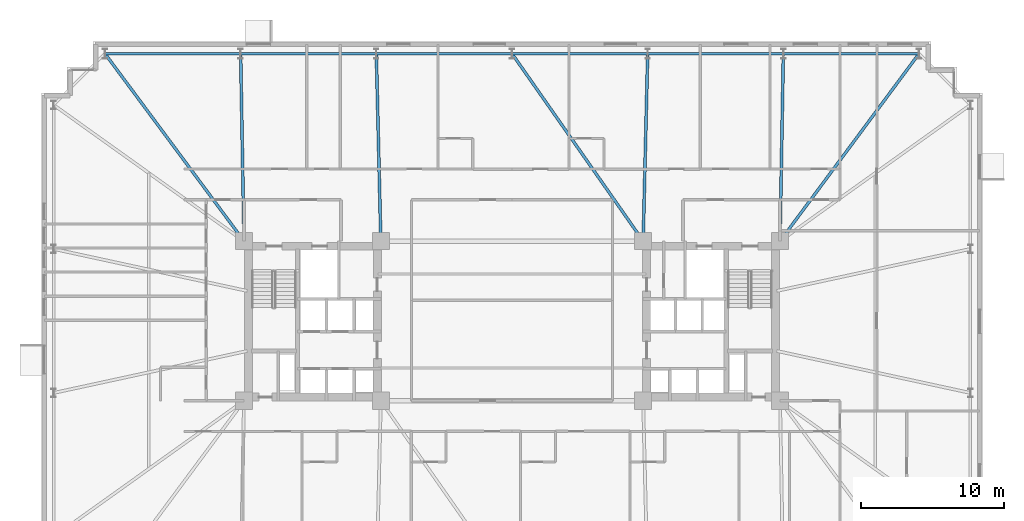
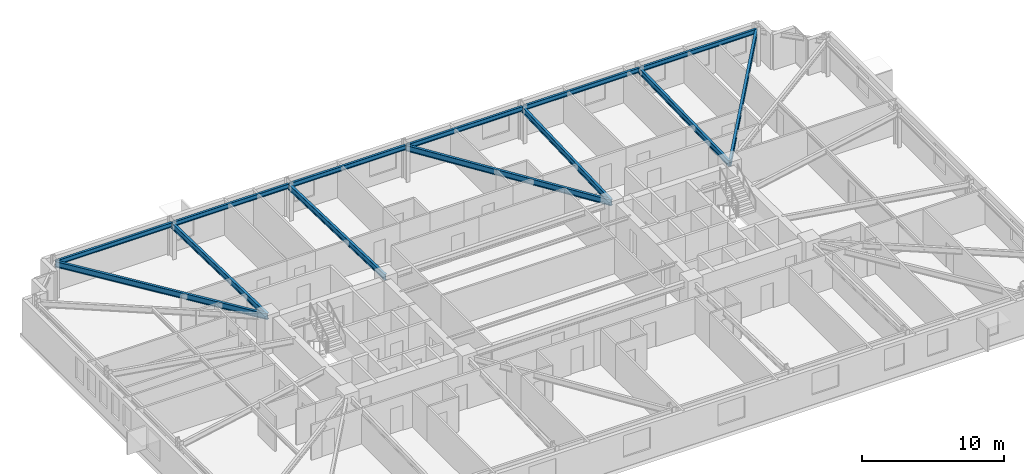
# One storey, part 9 of 21: 13 beams.
"""IFC4 building model written with IfcOpenShell, lengths in metres."""

from ifc_helpers import new_model, si_unit, direction, frame, origin, origin_2d, place, context, subcontext, project, spatial, i_section, extrude, material, material_profile, profile_set, type_object, element, save


model = new_model("IFC4")

# Units and contexts
model_context = context("Model", 3, precision=1e-05, world=origin(), true_north=direction((0.0, 1.0)))
body_context = subcontext(model_context, "Body", "Model", "MODEL_VIEW")
ifc_project = project(units=[si_unit("LENGTHUNIT", "METRE"), si_unit("AREAUNIT", "SQUARE_METRE"), si_unit("VOLUMEUNIT", "CUBIC_METRE"), si_unit("PLANEANGLEUNIT", "RADIAN"), si_unit("MASSUNIT", "GRAM", prefix="KILO")], contexts=[model_context])

# Site, building, storey
site_placement = place(None, origin())
site = spatial("IfcSite", under=ifc_project, at=site_placement, CompositionType="ELEMENT")
building_placement = place(site_placement, origin())
building = spatial("IfcBuilding", under=site, at=building_placement, Name="Qobustan Lattice House", CompositionType="ELEMENT")
storey_placement = place(building_placement, frame((0.0, 0.0, 37.050048828125)))
storey = spatial("IfcBuildingStorey", under=building, at=storey_placement, Name="L09", CompositionType="ELEMENT", Elevation=37.050048828125)

# Beams
ifc_material_1 = material(Name="Steel S355", Category="steel")
ifc_material_profile_1 = material_profile(ifc_material_1, i_section(OverallWidth=0.199951171875, OverallDepth=0.5, WebThickness=0.01025390625, FlangeThickness=0.01611328125, FilletRadius=0.02099609375, at=origin_2d()), Name="IPE500")
ifc_profile_set_1 = profile_set([ifc_material_profile_1], Name="Steel S355")
beam_type_1 = type_object("IfcBeamType", Name="BM-FLG-IPE500", PredefinedType="USERDEFINED", material=ifc_profile_set_1)
beam_1_placement = place(storey_placement, frame((-28.53515625, 18.72998046875, 2.784912109375), z_axis=(0.5955916815, -0.803287338956, 0.0), x_axis=(0.803287338956, 0.5955916815, 0.0)))
element("IfcBeam", 1, at=beam_1_placement, inside=storey, type_object=beam_type_1, Name="L09 primary floor girder RAD-N7W", ObjectType="GIRDER", PredefinedType="USERDEFINED", context=body_context, shape_type="SweptSolid", body=[
    extrude(i_section(OverallWidth=0.199951171875, OverallDepth=0.5, WebThickness=0.01025390625, FlangeThickness=0.01611328125, FilletRadius=0.02099609375, at=origin_2d()), origin(), (0.0, 0.0, 1.0), 16.3203125),
])
beam_2_placement = place(storey_placement, frame((-19.032958984375, 18.72509765625, 2.784912109375), z_axis=(0.017757831607, -0.999842317276, 0.0), x_axis=(0.999842317276, 0.017757831607, 0.0)))
element("IfcBeam", 2, at=beam_2_placement, inside=storey, type_object=beam_type_1, Name="L09 primary floor girder RAD-N6", ObjectType="GIRDER", PredefinedType="USERDEFINED", context=body_context, shape_type="SweptSolid", body=[
    extrude(i_section(OverallWidth=0.199951171875, OverallDepth=0.5, WebThickness=0.01025390625, FlangeThickness=0.01611328125, FilletRadius=0.02099609375, at=origin_2d()), origin(), (0.0, 0.0, 1.0), 13.10205078125),
])
beam_3_placement = place(storey_placement, frame((-9.51611328125, 18.72509765625, 2.784912109375), z_axis=(0.024071445657, -0.999710240772, 0.0), x_axis=(0.999710240772, 0.024071445657, 0.0)))
element("IfcBeam", 3, at=beam_3_placement, inside=storey, type_object=beam_type_1, Name="L09 primary floor girder RAD-N5", ObjectType="GIRDER", PredefinedType="USERDEFINED", context=body_context, shape_type="SweptSolid", body=[
    extrude(i_section(OverallWidth=0.199951171875, OverallDepth=0.5, WebThickness=0.01025390625, FlangeThickness=0.01611328125, FilletRadius=0.02099609375, at=origin_2d()), origin(), (0.0, 0.0, 1.0), 13.10400390625),
])
beam_4_placement = place(storey_placement, frame((0.014404296875, 18.7294921875, 2.784912109375), z_axis=(0.57325954206, -0.819373844736, 0.0), x_axis=(0.819373844736, 0.57325954206, 0.0)))
element("IfcBeam", 4, at=beam_4_placement, inside=storey, type_object=beam_type_1, Name="L09 primary floor girder RAD-N4", ObjectType="GIRDER", PredefinedType="USERDEFINED", context=body_context, shape_type="SweptSolid", body=[
    extrude(i_section(OverallWidth=0.199951171875, OverallDepth=0.5, WebThickness=0.01025390625, FlangeThickness=0.01611328125, FilletRadius=0.02099609375, at=origin_2d()), origin(), (0.0, 0.0, 1.0), 15.998779296875),
])
beam_5_placement = place(storey_placement, frame((9.51611328125, 18.72509765625, 2.784912109375), z_axis=(-0.024071445657, -0.999710240772, 0.0), x_axis=(0.999710240772, -0.024071445657, 0.0)))
element("IfcBeam", 5, at=beam_5_placement, inside=storey, type_object=beam_type_1, Name="L09 primary floor girder RAD-N3", ObjectType="GIRDER", PredefinedType="USERDEFINED", context=body_context, shape_type="SweptSolid", body=[
    extrude(i_section(OverallWidth=0.199951171875, OverallDepth=0.5, WebThickness=0.01025390625, FlangeThickness=0.01611328125, FilletRadius=0.02099609375, at=origin_2d()), origin(), (0.0, 0.0, 1.0), 13.10400390625),
])
beam_6_placement = place(storey_placement, frame((19.032958984375, 18.72509765625, 2.784912109375), z_axis=(-0.017757831607, -0.999842317276, 0.0), x_axis=(0.999842317276, -0.017757831607, 0.0)))
element("IfcBeam", 6, at=beam_6_placement, inside=storey, type_object=beam_type_1, Name="L09 primary floor girder RAD-N2", ObjectType="GIRDER", PredefinedType="USERDEFINED", context=body_context, shape_type="SweptSolid", body=[
    extrude(i_section(OverallWidth=0.199951171875, OverallDepth=0.5, WebThickness=0.01025390625, FlangeThickness=0.01611328125, FilletRadius=0.02099609375, at=origin_2d()), origin(), (0.0, 0.0, 1.0), 13.10205078125),
])
beam_7_placement = place(storey_placement, frame((28.53515625, 18.72998046875, 2.784912109375), z_axis=(-0.5955916815, -0.803287338956, 0.0), x_axis=(0.803287338956, -0.5955916815, 0.0)))
element("IfcBeam", 7, at=beam_7_placement, inside=storey, type_object=beam_type_1, Name="L09 primary floor girder RAD-N1E", ObjectType="GIRDER", PredefinedType="USERDEFINED", context=body_context, shape_type="SweptSolid", body=[
    extrude(i_section(OverallWidth=0.199951171875, OverallDepth=0.5, WebThickness=0.01025390625, FlangeThickness=0.01611328125, FilletRadius=0.02099609375, at=origin_2d()), origin(), (0.0, 0.0, 1.0), 16.3203125),
])
ifc_material_2 = material(Name="Steel S355", Category="steel")
ifc_material_profile_2 = material_profile(ifc_material_2, i_section(OverallWidth=0.179931640625, OverallDepth=0.39990234375, WebThickness=0.008544921875, FlangeThickness=0.013427734375, FilletRadius=0.02099609375, at=origin_2d()), Name="IPE400")
ifc_profile_set_2 = profile_set([ifc_material_profile_2], Name="Steel S355")
beam_type_2 = type_object("IfcBeamType", Name="BM-SPD-IPE400", PredefinedType="SPANDREL", material=ifc_profile_set_2)
for number, where, z_axis, x_axis, name in (
    (8, (28.52490234375, 18.75, 2.8349609375), (-1.0, 0.0, 0.0), (0.0, -1.0, 0.0), "L09 perimeter spandrel N1-N2"),
    (9, (19.00830078125, 18.75, 2.8349609375), (-1.0, 0.0, 0.0), (0.0, -1.0, 0.0), "L09 perimeter spandrel N2-N3"),
):
    element("IfcBeam", number, at=place(storey_placement, frame(where, z_axis=z_axis, x_axis=x_axis)), inside=storey, type_object=beam_type_2, Name=name, PredefinedType="SPANDREL", context=body_context, shape_type="SweptSolid", body=[
        extrude(i_section(OverallWidth=0.179931640625, OverallDepth=0.39990234375, WebThickness=0.008544921875, FlangeThickness=0.013427734375, FilletRadius=0.02099609375, at=origin_2d()), origin(), (0.0, 0.0, 1.0), 9.466552734375),
    ])
for number, where, z_axis, x_axis, name in (
    (10, (9.49169921875, 18.75, 2.8349609375), (-1.0, 0.0, 0.0), (0.0, -1.0, 0.0), "L09 perimeter spandrel N3-N4"),
    (11, (-0.02490234375, 18.75, 2.8349609375), (-1.0, 0.0, 0.0), (0.0, -1.0, 0.0), "L09 perimeter spandrel N4-N5"),
):
    element("IfcBeam", number, at=place(storey_placement, frame(where, z_axis=z_axis, x_axis=x_axis)), inside=storey, type_object=beam_type_2, Name=name, PredefinedType="SPANDREL", context=body_context, shape_type="SweptSolid", body=[
        extrude(i_section(OverallWidth=0.179931640625, OverallDepth=0.39990234375, WebThickness=0.008544921875, FlangeThickness=0.013427734375, FilletRadius=0.02099609375, at=origin_2d()), origin(), (0.0, 0.0, 1.0), 9.466796875),
    ])
for number, where, z_axis, x_axis, name in (
    (12, (-9.541748046875, 18.75, 2.8349609375), (-1.0, 0.0, 0.0), (0.0, -1.0, 0.0), "L09 perimeter spandrel N5-N6"),
    (13, (-19.058349609375, 18.75, 2.8349609375), (-1.0, 0.0, 0.0), (0.0, -1.0, 0.0), "L09 perimeter spandrel N6-N7"),
):
    element("IfcBeam", number, at=place(storey_placement, frame(where, z_axis=z_axis, x_axis=x_axis)), inside=storey, type_object=beam_type_2, Name=name, PredefinedType="SPANDREL", context=body_context, shape_type="SweptSolid", body=[
        extrude(i_section(OverallWidth=0.179931640625, OverallDepth=0.39990234375, WebThickness=0.008544921875, FlangeThickness=0.013427734375, FilletRadius=0.02099609375, at=origin_2d()), origin(), (0.0, 0.0, 1.0), 9.466552734375),
    ])

save(model, "model.ifc")
